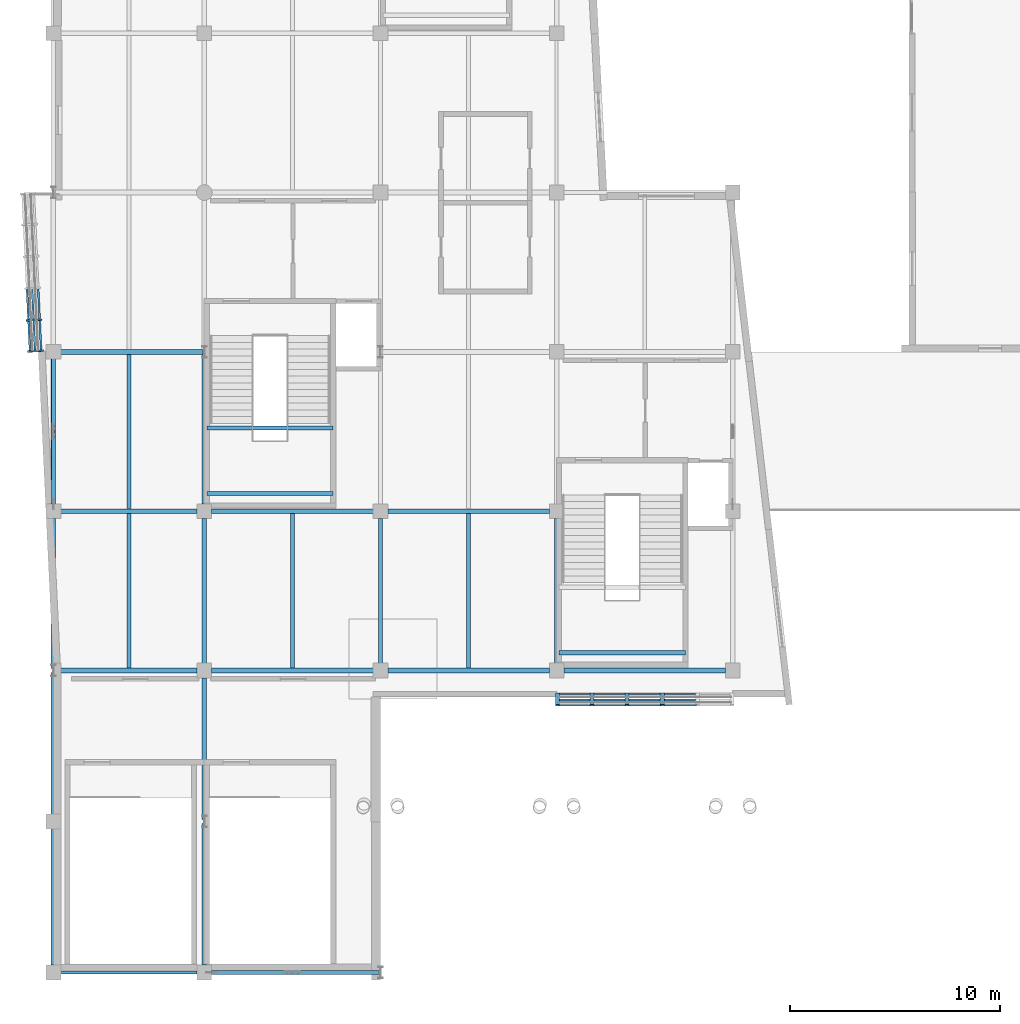
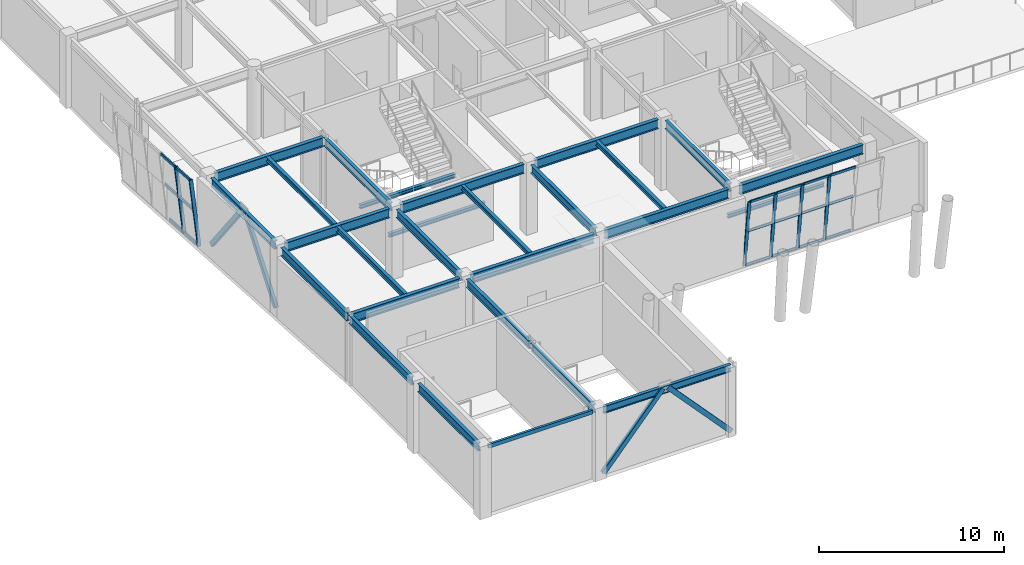
# One storey, part 9 of 72: 28 members, 27 beams, 2 elements without a shape of their own.
"""IFC4 building model written with IfcOpenShell, lengths in metres."""

from ifc_helpers import new_model, si_unit, direction, frame, origin, origin_2d, place, context, subcontext, project, spatial, hollow_rectangle, i_section, extrude, material, layer, layer_set, material_profile, profile_set, type_object, element, aggregate, save


model = new_model("IFC4")

# Units and contexts
model_context = context("Model", 3, precision=1e-05, world=origin(), true_north=direction((0.0, 1.0)))
body_context = subcontext(model_context, "Body", "Model", "MODEL_VIEW")
ifc_project = project(units=[si_unit("LENGTHUNIT", "METRE"), si_unit("AREAUNIT", "SQUARE_METRE"), si_unit("VOLUMEUNIT", "CUBIC_METRE"), si_unit("PLANEANGLEUNIT", "RADIAN"), si_unit("MASSUNIT", "GRAM", prefix="KILO")], contexts=[model_context])

# Site, building, storey
site_placement = place(None, origin())
site = spatial("IfcSite", under=ifc_project, at=site_placement, CompositionType="ELEMENT")
building_placement = place(site_placement, origin())
building = spatial("IfcBuilding", under=site, at=building_placement, Name="Xicomal Pleat Aquarium", CompositionType="ELEMENT")
storey_placement = place(building_placement, frame((0.0, 0.0, 10.5)))
storey = spatial("IfcBuildingStorey", under=building, at=storey_placement, Name="L03", CompositionType="ELEMENT", Elevation=10.5)

# Beams
ifc_material_1 = material(Name="Structural steel A992 Gr 50", Category="steel")
ifc_material_profile_1 = material_profile(ifc_material_1, i_section(OverallWidth=0.201904296875, OverallDepth=0.2470703125, WebThickness=0.00732421875, FlangeThickness=0.010986328125, at=origin_2d()), Name="IR 250x49")
ifc_profile_set_1 = profile_set([ifc_material_profile_1], Name="Structural steel A992 Gr 50")
beam_type_1 = type_object("IfcBeamType", Name="BM-STL-IR250", PredefinedType="JOIST", material=ifc_profile_set_1)
for number, where, z_axis, x_axis, name in (
    (1, (10.320068359375, 23.64990234375, 2.0791015625), (1.0, 0.0, 0.0), (0.0, 1.0, 0.0), "ST-01-L03 half-landing bearer beam 1"),
    (2, (10.320068359375, 26.77392578125, 2.0791015625), (1.0, 0.0, 0.0), (0.0, 1.0, 0.0), "ST-01-L03 half-landing bearer beam 2"),
):
    element("IfcBeam", number, at=place(storey_placement, frame(where, z_axis=z_axis, x_axis=x_axis)), inside=storey, type_object=beam_type_1, Name=name, PredefinedType="JOIST", context=body_context, shape_type="SweptSolid", body=[
        extrude(i_section(OverallWidth=0.201904296875, OverallDepth=0.2470703125, WebThickness=0.00732421875, FlangeThickness=0.010986328125, at=origin_2d()), origin(), (0.0, 0.0, 1.0), 6.02001953125),
    ])
beam_1_placement = place(storey_placement, frame((27.1201171875, 16.050048828125, 2.0791015625), z_axis=(1.0, 0.0, 0.0), x_axis=(0.0, 1.0, 0.0)))
element("IfcBeam", 3, at=beam_1_placement, inside=storey, type_object=beam_type_1, Name="ST-02-L03 half-landing bearer beam 1", PredefinedType="JOIST", context=body_context, shape_type="SweptSolid", body=[
    extrude(i_section(OverallWidth=0.201904296875, OverallDepth=0.2470703125, WebThickness=0.00732421875, FlangeThickness=0.010986328125, at=origin_2d()), origin(), (0.0, 0.0, 1.0), 6.019775390625),
])
ifc_material_2 = material(Name="Structural steel A992 Gr 50", Category="steel")
ifc_material_profile_2 = material_profile(ifc_material_2, i_section(OverallWidth=0.202880859375, OverallDepth=0.302978515625, WebThickness=0.007568359375, FlangeThickness=0.01318359375, at=origin_2d()), Name="IR 310x60")
ifc_profile_set_2 = profile_set([ifc_material_profile_2], Name="Structural steel A992 Gr 50")
beam_type_2 = type_object("IfcBeamType", Name="BM-STL-IR310", PredefinedType="JOIST", material=ifc_profile_set_2)
beam_2_placement = place(storey_placement, frame((6.60009765625, 22.91796875, 4.423583984375), z_axis=(0.0, 1.0, 0.0), x_axis=(-1.0, 0.0, 0.0)))
element("IfcBeam", 4, at=beam_2_placement, inside=storey, type_object=beam_type_2, Name="L03 framing beam FBJ-L03-01-D-1", PredefinedType="JOIST", context=body_context, shape_type="SweptSolid", body=[
    extrude(i_section(OverallWidth=0.202880859375, OverallDepth=0.302978515625, WebThickness=0.007568359375, FlangeThickness=0.01318359375, at=origin_2d()), origin(), (0.0, 0.0, 1.0), 7.364013671875),
])
for number, where, z_axis, x_axis, name in (
    (5, (14.39990234375, 15.318115234375, 4.423583984375), (0.0, 1.0, 0.0), (-1.0, 0.0, 0.0), "L03 framing beam FBJ-L03-02-C-1"),
    (6, (22.800048828125, 15.318115234375, 4.423583984375), (0.0, 1.0, 0.0), (-1.0, 0.0, 0.0), "L03 framing beam FBJ-L03-03-C-1"),
):
    element("IfcBeam", number, at=place(storey_placement, frame(where, z_axis=z_axis, x_axis=x_axis)), inside=storey, type_object=beam_type_2, Name=name, PredefinedType="JOIST", context=body_context, shape_type="SweptSolid", body=[
        extrude(i_section(OverallWidth=0.202880859375, OverallDepth=0.302978515625, WebThickness=0.007568359375, FlangeThickness=0.01318359375, at=origin_2d()), origin(), (0.0, 0.0, 1.0), 7.36376953125),
    ])
ifc_material_3 = material(Name="Structural steel A992 Gr 50", Category="steel")
ifc_material_profile_3 = material_profile(ifc_material_3, i_section(OverallWidth=0.205078125, OverallDepth=0.35400390625, WebThickness=0.009521484375, FlangeThickness=0.016845703125, at=origin_2d()), Name="IR 360x79")
ifc_profile_set_3 = profile_set([ifc_material_profile_3], Name="Structural steel A992 Gr 50")
beam_type_3 = type_object("IfcBeamType", Name="BM-STL-IR360", PredefinedType="JOIST", material=ifc_profile_set_3)
beam_3_placement = place(storey_placement, frame((6.60009765625, 15.318115234375, 4.39794921875), z_axis=(0.0, 1.0, 0.0), x_axis=(-1.0, 0.0, 0.0)))
element("IfcBeam", 7, at=beam_3_placement, inside=storey, type_object=beam_type_3, Name="L03 framing beam FBJ-L03-01-C-1", PredefinedType="JOIST", context=body_context, shape_type="SweptSolid", body=[
    extrude(i_section(OverallWidth=0.205078125, OverallDepth=0.35400390625, WebThickness=0.009521484375, FlangeThickness=0.016845703125, at=origin_2d()), origin(), (0.0, 0.0, 1.0), 7.36376953125),
])
ifc_material_4 = material(Name="Structural steel A992 Gr 50", Category="steel")
ifc_material_profile_4 = material_profile(ifc_material_4, i_section(OverallWidth=0.194091796875, OverallDepth=0.468994140625, WebThickness=0.0126953125, FlangeThickness=0.0205078125, at=origin_2d()), Name="IR 460x106")
ifc_profile_set_4 = profile_set([ifc_material_profile_4], Name="Structural steel A992 Gr 50")
beam_type_4 = type_object("IfcBeamType", Name="BM-STL-IR460", PredefinedType="BEAM", material=ifc_profile_set_4)
beam_4_placement = place(storey_placement, frame((10.544921875, 0.800048828125, 4.340576171875), z_axis=(1.0, 0.0, 0.0), x_axis=(0.0, 1.0, 0.0)))
element("IfcBeam", 8, at=beam_4_placement, inside=storey, type_object=beam_type_4, Name="L03 framing beam FGX-L03-02-03-A", PredefinedType="BEAM", context=body_context, shape_type="SweptSolid", body=[
    extrude(i_section(OverallWidth=0.194091796875, OverallDepth=0.468994140625, WebThickness=0.0126953125, FlangeThickness=0.0205078125, at=origin_2d()), origin(), (0.0, 0.0, 1.0), 7.9541015625),
])
ifc_material_5 = material(Name="Structural steel A992 Gr 50", Category="steel")
ifc_material_profile_5 = material_profile(ifc_material_5, i_section(OverallWidth=0.2119140625, OverallDepth=0.5439453125, WebThickness=0.01318359375, FlangeThickness=0.021240234375, at=origin_2d()), Name="IR 530x123")
ifc_profile_set_5 = profile_set([ifc_material_profile_5], Name="Structural steel A992 Gr 50")
beam_type_5 = type_object("IfcBeamType", Name="BM-STL-IR530", PredefinedType="BEAM", material=ifc_profile_set_5)
beam_5_placement = place(storey_placement, frame((3.0, 1.14501953125, 4.302978515625), z_axis=(0.0, 1.0, 0.0), x_axis=(-1.0, 0.0, 0.0)))
element("IfcBeam", 9, at=beam_5_placement, inside=storey, type_object=beam_type_5, Name="L03 framing beam FGY-L03-01-A-B", PredefinedType="BEAM", context=body_context, shape_type="SweptSolid", body=[
    extrude(i_section(OverallWidth=0.2119140625, OverallDepth=0.5439453125, WebThickness=0.01318359375, FlangeThickness=0.021240234375, at=origin_2d()), origin(), (0.0, 0.0, 1.0), 6.510009765625),
])
beam_6_placement = place(storey_placement, frame((3.0, 8.344970703125, 4.302978515625), z_axis=(0.0, 1.0, 0.0), x_axis=(-1.0, 0.0, 0.0)))
element("IfcBeam", 10, at=beam_6_placement, inside=storey, type_object=beam_type_5, Name="L03 framing beam FGY-L03-01-B-C", PredefinedType="BEAM", context=body_context, shape_type="SweptSolid", body=[
    extrude(i_section(OverallWidth=0.2119140625, OverallDepth=0.5439453125, WebThickness=0.01318359375, FlangeThickness=0.021240234375, at=origin_2d()), origin(), (0.0, 0.0, 1.0), 6.754150390625),
])
beam_7_placement = place(storey_placement, frame((3.0, 15.301025390625, 4.302978515625), z_axis=(0.0, 1.0, 0.0), x_axis=(-1.0, 0.0, 0.0)))
element("IfcBeam", 11, at=beam_7_placement, inside=storey, type_object=beam_type_5, Name="L03 framing beam FGY-L03-01-C-D", PredefinedType="BEAM", context=body_context, shape_type="SweptSolid", body=[
    extrude(i_section(OverallWidth=0.2119140625, OverallDepth=0.5439453125, WebThickness=0.01318359375, FlangeThickness=0.021240234375, at=origin_2d()), origin(), (0.0, 0.0, 1.0), 7.154052734375),
])
beam_8_placement = place(storey_placement, frame((3.0, 23.14501953125, 4.302978515625), z_axis=(0.0, 1.0, 0.0), x_axis=(-1.0, 0.0, 0.0)))
element("IfcBeam", 12, at=beam_8_placement, inside=storey, type_object=beam_type_5, Name="L03 framing beam FGY-L03-01-D-E", PredefinedType="BEAM", context=body_context, shape_type="SweptSolid", body=[
    extrude(i_section(OverallWidth=0.2119140625, OverallDepth=0.5439453125, WebThickness=0.01318359375, FlangeThickness=0.021240234375, at=origin_2d()), origin(), (0.0, 0.0, 1.0), 6.909912109375),
])
for number, where, z_axis, x_axis, name in (
    (13, (10.199951171875, 1.14501953125, 4.302978515625), (0.0, 1.0, 0.0), (-1.0, 0.0, 0.0), "L03 framing beam FGY-L03-02-A-B"),
    (14, (10.199951171875, 8.10107421875, 4.302978515625), (0.0, 1.0, 0.0), (-1.0, 0.0, 0.0), "L03 framing beam FGY-L03-02-B-C"),
):
    element("IfcBeam", number, at=place(storey_placement, frame(where, z_axis=z_axis, x_axis=x_axis)), inside=storey, type_object=beam_type_5, Name=name, PredefinedType="BEAM", context=body_context, shape_type="SweptSolid", body=[
        extrude(i_section(OverallWidth=0.2119140625, OverallDepth=0.5439453125, WebThickness=0.01318359375, FlangeThickness=0.021240234375, at=origin_2d()), origin(), (0.0, 0.0, 1.0), 6.75390625),
    ])
beam_9_placement = place(storey_placement, frame((10.199951171875, 15.544921875, 4.302978515625), z_axis=(0.0, 1.0, 0.0), x_axis=(-1.0, 0.0, 0.0)))
element("IfcBeam", 15, at=beam_9_placement, inside=storey, type_object=beam_type_5, Name="L03 framing beam FGY-L03-02-C-D", PredefinedType="BEAM", context=body_context, shape_type="SweptSolid", body=[
    extrude(i_section(OverallWidth=0.2119140625, OverallDepth=0.5439453125, WebThickness=0.01318359375, FlangeThickness=0.021240234375, at=origin_2d()), origin(), (0.0, 0.0, 1.0), 6.91015625),
])
beam_10_placement = place(storey_placement, frame((10.199951171875, 23.14501953125, 4.302978515625), z_axis=(0.0, 1.0, 0.0), x_axis=(-1.0, 0.0, 0.0)))
element("IfcBeam", 16, at=beam_10_placement, inside=storey, type_object=beam_type_5, Name="L03 framing beam FGY-L03-02-D-E", PredefinedType="BEAM", context=body_context, shape_type="SweptSolid", body=[
    extrude(i_section(OverallWidth=0.2119140625, OverallDepth=0.5439453125, WebThickness=0.01318359375, FlangeThickness=0.021240234375, at=origin_2d()), origin(), (0.0, 0.0, 1.0), 7.154052734375),
])
for number, where, z_axis, x_axis, name in (
    (17, (18.60009765625, 15.544921875, 4.302978515625), (0.0, 1.0, 0.0), (-1.0, 0.0, 0.0), "L03 framing beam FGY-L03-03-C-D"),
    (18, (27.0, 15.544921875, 4.302978515625), (0.0, 1.0, 0.0), (-1.0, 0.0, 0.0), "L03 framing beam FGY-L03-04-C-D"),
):
    element("IfcBeam", number, at=place(storey_placement, frame(where, z_axis=z_axis, x_axis=x_axis)), inside=storey, type_object=beam_type_5, Name=name, PredefinedType="BEAM", context=body_context, shape_type="SweptSolid", body=[
        extrude(i_section(OverallWidth=0.2119140625, OverallDepth=0.5439453125, WebThickness=0.01318359375, FlangeThickness=0.021240234375, at=origin_2d()), origin(), (0.0, 0.0, 1.0), 6.91015625),
    ])
ifc_material_6 = material(Name="Structural steel A992 Gr 50", Category="steel")
ifc_material_profile_6 = material_profile(ifc_material_6, i_section(OverallWidth=0.22998046875, OverallDepth=0.616943359375, WebThickness=0.01318359375, FlangeThickness=0.022216796875, at=origin_2d()), Name="IR 610x140")
ifc_profile_set_6 = profile_set([ifc_material_profile_6], Name="Structural steel A992 Gr 50")
beam_type_6 = type_object("IfcBeamType", Name="BM-STL-IR610", PredefinedType="BEAM", material=ifc_profile_set_6)
beam_11_placement = place(storey_placement, frame((3.10107421875, 15.199951171875, 4.2666015625), z_axis=(1.0, 0.0, 0.0), x_axis=(0.0, 1.0, 0.0)))
element("IfcBeam", 19, at=beam_11_placement, inside=storey, type_object=beam_type_6, Name="L03 framing beam FGX-L03-01-02-C", PredefinedType="BEAM", context=body_context, shape_type="SweptSolid", body=[
    extrude(i_section(OverallWidth=0.22998046875, OverallDepth=0.616943359375, WebThickness=0.01318359375, FlangeThickness=0.022216796875, at=origin_2d()), origin(), (0.0, 0.0, 1.0), 6.75390625),
])
for number, where, z_axis, x_axis, name in (
    (20, (10.544921875, 15.199951171875, 4.2666015625), (1.0, 0.0, 0.0), (0.0, 1.0, 0.0), "L03 framing beam FGX-L03-02-03-C"),
    (21, (18.945068359375, 15.199951171875, 4.2666015625), (1.0, 0.0, 0.0), (0.0, 1.0, 0.0), "L03 framing beam FGX-L03-03-04-C"),
    (22, (27.344970703125, 15.199951171875, 4.2666015625), (1.0, 0.0, 0.0), (0.0, 1.0, 0.0), "L03 framing beam FGX-L03-04-05-C"),
):
    element("IfcBeam", number, at=place(storey_placement, frame(where, z_axis=z_axis, x_axis=x_axis)), inside=storey, type_object=beam_type_6, Name=name, PredefinedType="BEAM", context=body_context, shape_type="SweptSolid", body=[
        extrude(i_section(OverallWidth=0.22998046875, OverallDepth=0.616943359375, WebThickness=0.01318359375, FlangeThickness=0.022216796875, at=origin_2d()), origin(), (0.0, 0.0, 1.0), 7.7099609375),
    ])
beam_12_placement = place(storey_placement, frame((3.344970703125, 22.800048828125, 4.2666015625), z_axis=(1.0, 0.0, 0.0), x_axis=(0.0, 1.0, 0.0)))
element("IfcBeam", 23, at=beam_12_placement, inside=storey, type_object=beam_type_6, Name="L03 framing beam FGX-L03-01-02-D", PredefinedType="BEAM", context=body_context, shape_type="SweptSolid", body=[
    extrude(i_section(OverallWidth=0.22998046875, OverallDepth=0.616943359375, WebThickness=0.01318359375, FlangeThickness=0.022216796875, at=origin_2d()), origin(), (0.0, 0.0, 1.0), 6.510009765625),
])
for number, where, z_axis, x_axis, name in (
    (24, (10.544921875, 22.800048828125, 4.2666015625), (1.0, 0.0, 0.0), (0.0, 1.0, 0.0), "L03 framing beam FGX-L03-02-03-D"),
    (25, (18.945068359375, 22.800048828125, 4.2666015625), (1.0, 0.0, 0.0), (0.0, 1.0, 0.0), "L03 framing beam FGX-L03-03-04-D"),
):
    element("IfcBeam", number, at=place(storey_placement, frame(where, z_axis=z_axis, x_axis=x_axis)), inside=storey, type_object=beam_type_6, Name=name, PredefinedType="BEAM", context=body_context, shape_type="SweptSolid", body=[
        extrude(i_section(OverallWidth=0.22998046875, OverallDepth=0.616943359375, WebThickness=0.01318359375, FlangeThickness=0.022216796875, at=origin_2d()), origin(), (0.0, 0.0, 1.0), 7.7099609375),
    ])
beam_13_placement = place(storey_placement, frame((3.344970703125, 30.39990234375, 4.2666015625), z_axis=(1.0, 0.0, 0.0), x_axis=(0.0, 1.0, 0.0)))
element("IfcBeam", 26, at=beam_13_placement, inside=storey, type_object=beam_type_6, Name="L03 framing beam FGX-L03-01-02-E", PredefinedType="BEAM", context=body_context, shape_type="SweptSolid", body=[
    extrude(i_section(OverallWidth=0.22998046875, OverallDepth=0.616943359375, WebThickness=0.01318359375, FlangeThickness=0.022216796875, at=origin_2d()), origin(), (0.0, 0.0, 1.0), 6.754150390625),
])
ifc_material_7 = material(Name="Structural steel A500 Gr C", Category="steel")
ifc_material_profile_7 = material_profile(ifc_material_7, hollow_rectangle(XDim=0.14990234375, YDim=0.25, WallThickness=0.010009765625, at=origin_2d()), Name="OR 250x150x10")
ifc_profile_set_7 = profile_set([ifc_material_profile_7], Name="Structural steel A500 Gr C")
beam_type_7 = type_object("IfcBeamType", Name="BM-STL-OR250", PredefinedType="SPANDREL", material=ifc_profile_set_7)
beam_14_placement = place(storey_placement, frame((3.344970703125, 0.800048828125, 4.449951171875), z_axis=(1.0, 0.0, 0.0), x_axis=(0.0, 1.0, 0.0)))
element("IfcBeam", 27, at=beam_14_placement, inside=storey, type_object=beam_type_7, Name="L03 framing beam FGX-L03-01-02-A", PredefinedType="SPANDREL", context=body_context, shape_type="SweptSolid", body=[
    extrude(hollow_rectangle(XDim=0.14990234375, YDim=0.25, WallThickness=0.010009765625, at=origin_2d()), origin(), (0.0, 0.0, 1.0), 6.510009765625),
])

# Curtain wall, members
ifc_material_8 = material(Name="Bronze anodized aluminium 6063-T6", Category="aluminium")
ifc_layer_1 = layer(ifc_material_8, 0.159912109375)
ifc_layer_set_1 = layer_set([ifc_layer_1], Name="Bronze anodized aluminium 6063-T6")
curtain_wall_type_1 = type_object("IfcCurtainWallType", Name="CW-SYS-08", PredefinedType="NOTDEFINED", material=ifc_layer_set_1)
curtain_wall_1_placement = place(storey_placement, origin())
curtain_wall_1 = element("IfcCurtainWall", 28, at=curtain_wall_1_placement, inside=storey, type_object=curtain_wall_type_1, Name="L03 unitised curtain wall CW-L03-169", PredefinedType="NOTDEFINED")
ifc_material_9 = material(Name="Bronze anodized aluminium 6063-T6", Category="aluminium")
ifc_material_profile_8 = material_profile(ifc_material_9, hollow_rectangle(XDim=0.074951171875, YDim=0.199951171875, WallThickness=0.00439453125, at=origin_2d()), Name="ALU MULL 75x200")
ifc_profile_set_8 = profile_set([ifc_material_profile_8], Name="Bronze anodized aluminium 6063-T6")
member_type_1 = type_object("IfcMemberType", Name="CWM-75x200", PredefinedType="MULLION", material=ifc_profile_set_8)
member_1_placement = place(storey_placement, frame((32.0400390625, 14.090087890625, 0.0), z_axis=(0.0, -0.118430589417, 0.992962333369), x_axis=(0.0, -0.992962333369, -0.118430589417)))
member_1 = element("IfcMember", 29, at=member_1_placement, type_object=member_type_1, Name="CW-08 mullion 3", PredefinedType="MULLION", context=body_context, shape_type="SweptSolid", body=[
    extrude(hollow_rectangle(XDim=0.074951171875, YDim=0.199951171875, WallThickness=0.00439453125, at=origin_2d()), origin(), (0.0, 0.0, 1.0), 4.607421875),
])
member_2_placement = place(storey_placement, frame((30.360107421875, 14.090087890625, 0.0), z_axis=(0.0, -0.118430589417, 0.992962333369), x_axis=(0.0, -0.992962333369, -0.118430589417)))
member_2 = element("IfcMember", 30, at=member_2_placement, type_object=member_type_1, Name="CW-08 mullion 4", PredefinedType="MULLION", context=body_context, shape_type="SweptSolid", body=[
    extrude(hollow_rectangle(XDim=0.074951171875, YDim=0.199951171875, WallThickness=0.00439453125, at=origin_2d()), origin(), (0.0, 0.0, 1.0), 4.607421875),
])
member_3_placement = place(storey_placement, frame((28.679931640625, 14.090087890625, 0.0), z_axis=(0.0, -0.118430589417, 0.992962333369), x_axis=(0.0, -0.992962333369, -0.118430589417)))
member_3 = element("IfcMember", 31, at=member_3_placement, type_object=member_type_1, Name="CW-08 mullion 5", PredefinedType="MULLION", context=body_context, shape_type="SweptSolid", body=[
    extrude(hollow_rectangle(XDim=0.074951171875, YDim=0.199951171875, WallThickness=0.00439453125, at=origin_2d()), origin(), (0.0, 0.0, 1.0), 4.607421875),
])
member_4_placement = place(storey_placement, frame((27.03759765625, 14.090087890625, 0.0), z_axis=(0.0, -0.118430589417, 0.992962333369), x_axis=(0.0, -0.992962333369, -0.118430589417)))
member_4 = element("IfcMember", 32, at=member_4_placement, type_object=member_type_1, Name="CW-08 mullion 6", PredefinedType="MULLION", context=body_context, shape_type="SweptSolid", body=[
    extrude(hollow_rectangle(XDim=0.074951171875, YDim=0.199951171875, WallThickness=0.00439453125, at=origin_2d()), origin(), (0.0, 0.0, 1.0), 4.607421875),
])

ifc_material_10 = material(Name="Bronze anodized aluminium 6063-T6", Category="aluminium")
ifc_layer_2 = layer(ifc_material_10, 0.159912109375)
ifc_layer_set_2 = layer_set([ifc_layer_2], Name="Bronze anodized aluminium 6063-T6")
curtain_wall_type_2 = type_object("IfcCurtainWallType", Name="CW-SYS-03", PredefinedType="NOTDEFINED", material=ifc_layer_set_2)
curtain_wall_2_placement = place(storey_placement, origin())
curtain_wall_2 = element("IfcCurtainWall", 33, at=curtain_wall_2_placement, inside=storey, type_object=curtain_wall_type_2, Name="L03 unitised curtain wall CW-L03-170", PredefinedType="NOTDEFINED")
ifc_material_11 = material(Name="Bronze anodized aluminium 6063-T6", Category="aluminium")
ifc_material_profile_9 = material_profile(ifc_material_11, hollow_rectangle(XDim=0.0849609375, YDim=0.219970703125, WallThickness=0.0048828125, at=origin_2d()), Name="ALU MULL 85x220")
ifc_profile_set_9 = profile_set([ifc_material_profile_9], Name="Bronze anodized aluminium 6063-T6")
member_type_2 = type_object("IfcMemberType", Name="CWM-85x220", PredefinedType="MULLION", material=ifc_profile_set_9)
member_5_placement = place(storey_placement, frame((2.41796875, 30.449462890625, 0.0), z_axis=(-0.11827198167, -0.005616859345, 0.992965351482), x_axis=(-0.094314072938, 0.995526729364, -0.005602389534)))
member_5 = element("IfcMember", 34, at=member_5_placement, type_object=member_type_2, Name="CW-03 mullion 1", PredefinedType="MULLION", context=body_context, shape_type="SweptSolid", body=[
    extrude(hollow_rectangle(XDim=0.0849609375, YDim=0.219970703125, WallThickness=0.0048828125, at=origin_2d()), origin(), (0.0, 0.0, 1.0), 4.607421875),
])
member_6_placement = place(storey_placement, frame((2.347900390625, 31.927001953125, 0.0), z_axis=(-0.11827198167, -0.005616859345, 0.992965351482), x_axis=(-0.094314072938, 0.995526729364, -0.005602389534)))
member_6 = element("IfcMember", 35, at=member_6_placement, type_object=member_type_2, Name="CW-03 mullion 2", PredefinedType="MULLION", context=body_context, shape_type="SweptSolid", body=[
    extrude(hollow_rectangle(XDim=0.0849609375, YDim=0.219970703125, WallThickness=0.0048828125, at=origin_2d()), origin(), (0.0, 0.0, 1.0), 4.607421875),
])

# Member
ifc_material_12 = material(Name="Bronze anodized aluminium 6063-T6", Category="aluminium")
ifc_material_profile_10 = material_profile(ifc_material_12, hollow_rectangle(XDim=0.074951171875, YDim=0.14990234375, WallThickness=0.00439453125, at=origin_2d()), Name="ALU TRAN 75x150")
ifc_profile_set_10 = profile_set([ifc_material_profile_10], Name="Bronze anodized aluminium 6063-T6")
member_type_3 = type_object("IfcMemberType", Name="CWT-75x150", PredefinedType="USERDEFINED", material=ifc_profile_set_10)
member_7_placement = place(storey_placement, frame((33.6826171875, 14.08544921875, 0.03759765625), z_axis=(-1.0, 0.0, 0.0), x_axis=(0.0, -1.0, 0.0)))
member_7 = element("IfcMember", 36, at=member_7_placement, type_object=member_type_3, Name="CW-08 transom 2.1", ObjectType="TRANSOM", PredefinedType="USERDEFINED", context=body_context, shape_type="SweptSolid", body=[
    extrude(hollow_rectangle(XDim=0.074951171875, YDim=0.14990234375, WallThickness=0.00439453125, at=origin_2d()), origin(), (0.0, 0.0, 1.0), 1.605224609375),
])

member_8_placement = place(storey_placement, frame((33.6826171875, 13.79541015625, 2.469970703125), z_axis=(-1.0, 0.0, 0.0), x_axis=(0.0, -1.0, 0.0)))
member_8 = element("IfcMember", 37, at=member_8_placement, type_object=member_type_3, Name="CW-08 transom 2.2", ObjectType="TRANSOM", PredefinedType="USERDEFINED", context=body_context, shape_type="SweptSolid", body=[
    extrude(hollow_rectangle(XDim=0.074951171875, YDim=0.14990234375, WallThickness=0.00439453125, at=origin_2d()), origin(), (0.0, 0.0, 1.0), 1.605224609375),
])

member_9_placement = place(storey_placement, frame((33.6826171875, 13.549072265625, 4.53759765625), z_axis=(-1.0, 0.0, 0.0), x_axis=(0.0, -1.0, 0.0)))
member_9 = element("IfcMember", 38, at=member_9_placement, type_object=member_type_3, Name="CW-08 transom 2.3", ObjectType="TRANSOM", PredefinedType="USERDEFINED", context=body_context, shape_type="SweptSolid", body=[
    extrude(hollow_rectangle(XDim=0.074951171875, YDim=0.14990234375, WallThickness=0.00439453125, at=origin_2d()), origin(), (0.0, 0.0, 1.0), 1.605224609375),
])

member_10_placement = place(storey_placement, frame((32.00244140625, 14.08544921875, 0.03759765625), z_axis=(-1.0, 0.0, 0.0), x_axis=(0.0, -1.0, 0.0)))
member_10 = element("IfcMember", 39, at=member_10_placement, type_object=member_type_3, Name="CW-08 transom 3.1", ObjectType="TRANSOM", PredefinedType="USERDEFINED", context=body_context, shape_type="SweptSolid", body=[
    extrude(hollow_rectangle(XDim=0.074951171875, YDim=0.14990234375, WallThickness=0.00439453125, at=origin_2d()), origin(), (0.0, 0.0, 1.0), 1.60498046875),
])

member_11_placement = place(storey_placement, frame((32.00244140625, 13.79541015625, 2.469970703125), z_axis=(-1.0, 0.0, 0.0), x_axis=(0.0, -1.0, 0.0)))
member_11 = element("IfcMember", 40, at=member_11_placement, type_object=member_type_3, Name="CW-08 transom 3.2", ObjectType="TRANSOM", PredefinedType="USERDEFINED", context=body_context, shape_type="SweptSolid", body=[
    extrude(hollow_rectangle(XDim=0.074951171875, YDim=0.14990234375, WallThickness=0.00439453125, at=origin_2d()), origin(), (0.0, 0.0, 1.0), 1.60498046875),
])

member_12_placement = place(storey_placement, frame((32.00244140625, 13.549072265625, 4.53759765625), z_axis=(-1.0, 0.0, 0.0), x_axis=(0.0, -1.0, 0.0)))
member_12 = element("IfcMember", 41, at=member_12_placement, type_object=member_type_3, Name="CW-08 transom 3.3", ObjectType="TRANSOM", PredefinedType="USERDEFINED", context=body_context, shape_type="SweptSolid", body=[
    extrude(hollow_rectangle(XDim=0.074951171875, YDim=0.14990234375, WallThickness=0.00439453125, at=origin_2d()), origin(), (0.0, 0.0, 1.0), 1.60498046875),
])

member_13_placement = place(storey_placement, frame((30.322509765625, 14.08544921875, 0.03759765625), z_axis=(-1.0, 0.0, 0.0), x_axis=(0.0, -1.0, 0.0)))
member_13 = element("IfcMember", 42, at=member_13_placement, type_object=member_type_3, Name="CW-08 transom 4.1", ObjectType="TRANSOM", PredefinedType="USERDEFINED", context=body_context, shape_type="SweptSolid", body=[
    extrude(hollow_rectangle(XDim=0.074951171875, YDim=0.14990234375, WallThickness=0.00439453125, at=origin_2d()), origin(), (0.0, 0.0, 1.0), 1.60498046875),
])

member_14_placement = place(storey_placement, frame((30.322509765625, 13.79541015625, 2.469970703125), z_axis=(-1.0, 0.0, 0.0), x_axis=(0.0, -1.0, 0.0)))
member_14 = element("IfcMember", 43, at=member_14_placement, type_object=member_type_3, Name="CW-08 transom 4.2", ObjectType="TRANSOM", PredefinedType="USERDEFINED", context=body_context, shape_type="SweptSolid", body=[
    extrude(hollow_rectangle(XDim=0.074951171875, YDim=0.14990234375, WallThickness=0.00439453125, at=origin_2d()), origin(), (0.0, 0.0, 1.0), 1.60498046875),
])

member_15_placement = place(storey_placement, frame((30.322509765625, 13.549072265625, 4.53759765625), z_axis=(-1.0, 0.0, 0.0), x_axis=(0.0, -1.0, 0.0)))
member_15 = element("IfcMember", 44, at=member_15_placement, type_object=member_type_3, Name="CW-08 transom 4.3", ObjectType="TRANSOM", PredefinedType="USERDEFINED", context=body_context, shape_type="SweptSolid", body=[
    extrude(hollow_rectangle(XDim=0.074951171875, YDim=0.14990234375, WallThickness=0.00439453125, at=origin_2d()), origin(), (0.0, 0.0, 1.0), 1.60498046875),
])

member_16_placement = place(storey_placement, frame((28.642578125, 14.08544921875, 0.03759765625), z_axis=(-1.0, 0.0, 0.0), x_axis=(0.0, -1.0, 0.0)))
member_16 = element("IfcMember", 45, at=member_16_placement, type_object=member_type_3, Name="CW-08 transom 5.1", ObjectType="TRANSOM", PredefinedType="USERDEFINED", context=body_context, shape_type="SweptSolid", body=[
    extrude(hollow_rectangle(XDim=0.074951171875, YDim=0.14990234375, WallThickness=0.00439453125, at=origin_2d()), origin(), (0.0, 0.0, 1.0), 1.567626953125),
])

member_17_placement = place(storey_placement, frame((28.642578125, 13.79541015625, 2.469970703125), z_axis=(-1.0, 0.0, 0.0), x_axis=(0.0, -1.0, 0.0)))
member_17 = element("IfcMember", 46, at=member_17_placement, type_object=member_type_3, Name="CW-08 transom 5.2", ObjectType="TRANSOM", PredefinedType="USERDEFINED", context=body_context, shape_type="SweptSolid", body=[
    extrude(hollow_rectangle(XDim=0.074951171875, YDim=0.14990234375, WallThickness=0.00439453125, at=origin_2d()), origin(), (0.0, 0.0, 1.0), 1.567626953125),
])

member_18_placement = place(storey_placement, frame((28.642578125, 13.549072265625, 4.53759765625), z_axis=(-1.0, 0.0, 0.0), x_axis=(0.0, -1.0, 0.0)))
member_18 = element("IfcMember", 47, at=member_18_placement, type_object=member_type_3, Name="CW-08 transom 5.3", ObjectType="TRANSOM", PredefinedType="USERDEFINED", context=body_context, shape_type="SweptSolid", body=[
    extrude(hollow_rectangle(XDim=0.074951171875, YDim=0.14990234375, WallThickness=0.00439453125, at=origin_2d()), origin(), (0.0, 0.0, 1.0), 1.567626953125),
])

aggregate(curtain_wall_1, [member_1, member_2, member_3, member_4, member_7, member_8, member_9, member_10, member_11, member_12, member_13, member_14, member_15, member_16, member_17, member_18])

ifc_material_13 = material(Name="Bronze anodized aluminium 6063-T6", Category="aluminium")
ifc_material_profile_11 = material_profile(ifc_material_13, hollow_rectangle(XDim=0.0849609375, YDim=0.169921875, WallThickness=0.0048828125, at=origin_2d()), Name="ALU TRAN 85x170")
ifc_profile_set_11 = profile_set([ifc_material_profile_11], Name="Bronze anodized aluminium 6063-T6")
member_type_4 = type_object("IfcMemberType", Name="CWT-85x170", PredefinedType="USERDEFINED", material=ifc_profile_set_11)
member_19_placement = place(storey_placement, frame((2.410888671875, 30.49169921875, 0.04248046875), z_axis=(-0.047282262179, 0.998881568397, 0.0), x_axis=(-0.998881568397, -0.047282262179, 0.0)))
member_19 = element("IfcMember", 48, at=member_19_placement, type_object=member_type_4, Name="CW-03 transom 1.1", ObjectType="TRANSOM", PredefinedType="USERDEFINED", context=body_context, shape_type="SweptSolid", body=[
    extrude(hollow_rectangle(XDim=0.0849609375, YDim=0.169921875, WallThickness=0.0048828125, at=origin_2d()), origin(), (0.0, 0.0, 1.0), 1.39404296875),
])

member_20_placement = place(storey_placement, frame((2.121826171875, 30.47802734375, 2.469970703125), z_axis=(-0.047282262179, 0.998881568397, 0.0), x_axis=(-0.998881568397, -0.047282262179, 0.0)))
member_20 = element("IfcMember", 49, at=member_20_placement, type_object=member_type_4, Name="CW-03 transom 1.2", ObjectType="TRANSOM", PredefinedType="USERDEFINED", context=body_context, shape_type="SweptSolid", body=[
    extrude(hollow_rectangle(XDim=0.0849609375, YDim=0.169921875, WallThickness=0.0048828125, at=origin_2d()), origin(), (0.0, 0.0, 1.0), 1.39404296875),
])

member_21_placement = place(storey_placement, frame((1.876220703125, 30.46630859375, 4.532470703125), z_axis=(-0.047282262179, 0.998881568397, 0.0), x_axis=(-0.998881568397, -0.047282262179, 0.0)))
member_21 = element("IfcMember", 50, at=member_21_placement, type_object=member_type_4, Name="CW-03 transom 1.3", ObjectType="TRANSOM", PredefinedType="USERDEFINED", context=body_context, shape_type="SweptSolid", body=[
    extrude(hollow_rectangle(XDim=0.0849609375, YDim=0.169921875, WallThickness=0.0048828125, at=origin_2d()), origin(), (0.0, 0.0, 1.0), 1.39404296875),
])

member_22_placement = place(storey_placement, frame((2.3408203125, 31.96923828125, 0.04248046875), z_axis=(-0.047242191746, 0.998883464334, 0.0), x_axis=(-0.998883464334, -0.047242191746, 0.0)))
member_22 = element("IfcMember", 51, at=member_22_placement, type_object=member_type_4, Name="CW-03 transom 2.1", ObjectType="TRANSOM", PredefinedType="USERDEFINED", context=body_context, shape_type="SweptSolid", body=[
    extrude(hollow_rectangle(XDim=0.0849609375, YDim=0.169921875, WallThickness=0.0048828125, at=origin_2d()), origin(), (0.0, 0.0, 1.0), 1.436767578125),
])

member_23_placement = place(storey_placement, frame((2.0517578125, 31.95556640625, 2.469970703125), z_axis=(-0.047242191746, 0.998883464334, 0.0), x_axis=(-0.998883464334, -0.047242191746, 0.0)))
member_23 = element("IfcMember", 52, at=member_23_placement, type_object=member_type_4, Name="CW-03 transom 2.2", ObjectType="TRANSOM", PredefinedType="USERDEFINED", context=body_context, shape_type="SweptSolid", body=[
    extrude(hollow_rectangle(XDim=0.0849609375, YDim=0.169921875, WallThickness=0.0048828125, at=origin_2d()), origin(), (0.0, 0.0, 1.0), 1.436767578125),
])

member_24_placement = place(storey_placement, frame((1.80615234375, 31.94384765625, 4.532470703125), z_axis=(-0.047242191746, 0.998883464334, 0.0), x_axis=(-0.998883464334, -0.047242191746, 0.0)))
member_24 = element("IfcMember", 53, at=member_24_placement, type_object=member_type_4, Name="CW-03 transom 2.3", ObjectType="TRANSOM", PredefinedType="USERDEFINED", context=body_context, shape_type="SweptSolid", body=[
    extrude(hollow_rectangle(XDim=0.0849609375, YDim=0.169921875, WallThickness=0.0048828125, at=origin_2d()), origin(), (0.0, 0.0, 1.0), 1.436767578125),
])

aggregate(curtain_wall_2, [member_5, member_6, member_19, member_20, member_21, member_22, member_23, member_24])

# Members
ifc_material_14 = material(Name="Structural steel A500 Gr C", Category="steel")
ifc_material_profile_12 = material_profile(ifc_material_14, hollow_rectangle(XDim=0.199951171875, YDim=0.300048828125, WallThickness=0.011962890625, at=origin_2d()), Name="OR 300x200x12")
ifc_profile_set_12 = profile_set([ifc_material_profile_12], Name="Structural steel A500 Gr C")
member_type_5 = type_object("IfcMemberType", Name="MEM-BR-OR300", PredefinedType="BRACE", material=ifc_profile_set_12)
for number, where, z_axis, x_axis, name in (
    (54, (3.0, 23.1298828125, 0.14990234375), (0.0, 0.611136654047, 0.791525103885), (-1.0, 0.0, 0.0), "L03 chevron brace 4A"),
    (55, (3.0, 30.070068359375, 0.14990234375), (0.0, -0.611136654047, 0.791525103885), (1.0, 0.0, 0.0), "L03 chevron brace 4B"),
):
    element("IfcMember", number, at=place(storey_placement, frame(where, z_axis=z_axis, x_axis=x_axis)), inside=storey, type_object=member_type_5, Name=name, PredefinedType="BRACE", context=body_context, shape_type="SweptSolid", body=[
        extrude(hollow_rectangle(XDim=0.199951171875, YDim=0.300048828125, WallThickness=0.011962890625, at=origin_2d()), origin(), (0.0, 0.0, 1.0), 5.4326171875),
    ])
member_25_placement = place(storey_placement, frame((10.530029296875, 0.800048828125, 0.14990234375), z_axis=(0.654253504422, 0.0, 0.756275314916), x_axis=(0.0, 1.0, 0.0)))
element("IfcMember", 56, at=member_25_placement, inside=storey, type_object=member_type_5, Name="L03 chevron brace 34A", PredefinedType="BRACE", context=body_context, shape_type="SweptSolid", body=[
    extrude(hollow_rectangle(XDim=0.199951171875, YDim=0.300048828125, WallThickness=0.011962890625, at=origin_2d()), origin(), (0.0, 0.0, 1.0), 5.685791015625),
])
member_26_placement = place(storey_placement, frame((18.513916015625, 0.800048828125, 0.14990234375), z_axis=(-0.677780600094, 0.0, 0.735264209748), x_axis=(0.0, -1.0, 0.0)))
element("IfcMember", 57, at=member_26_placement, inside=storey, type_object=member_type_5, Name="L03 chevron brace 34B", PredefinedType="BRACE", context=body_context, shape_type="SweptSolid", body=[
    extrude(hollow_rectangle(XDim=0.199951171875, YDim=0.300048828125, WallThickness=0.011962890625, at=origin_2d()), origin(), (0.0, 0.0, 1.0), 5.848388671875),
])

save(model, "model.ifc")
